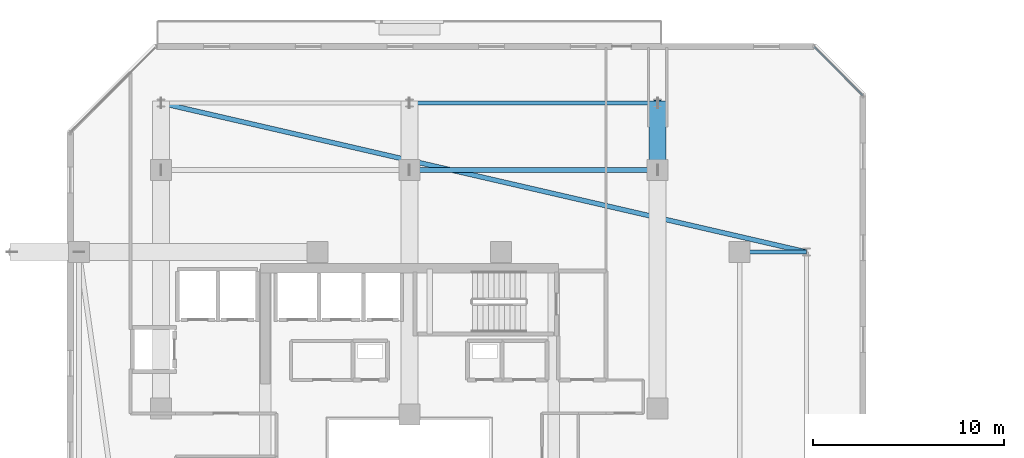
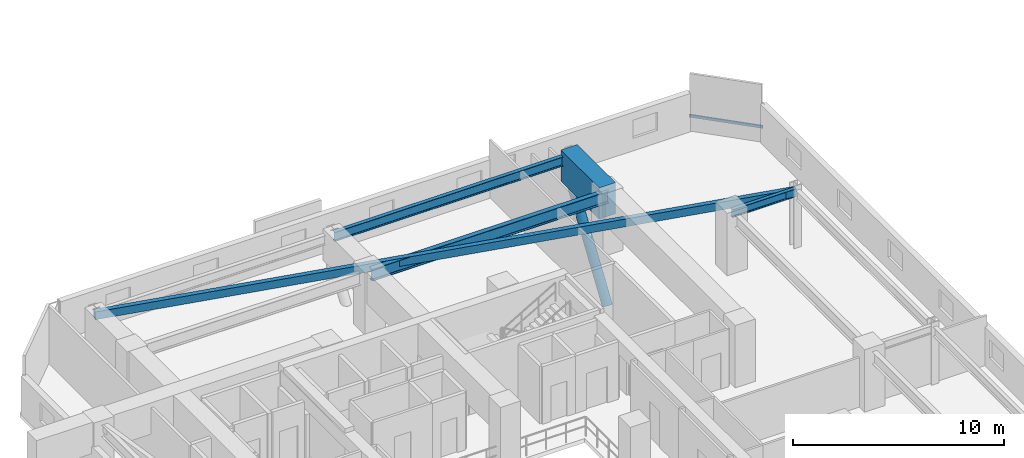
# One storey, part 9 of 36: 5 beams, 2 members, 1 element without a shape of its own.
"""IFC4 building model written with IfcOpenShell, lengths in metres."""

from ifc_helpers import new_model, si_unit, direction, frame, origin, origin_2d, place, context, subcontext, project, spatial, rectangle, hollow_rectangle, hollow_circle, i_section, extrude, material, material_profile, profile_set, type_object, element, aggregate, save


model = new_model("IFC4")

# Units and contexts
model_context = context("Model", 3, precision=1e-05, world=origin(), true_north=direction((0.0, 1.0)))
body_context = subcontext(model_context, "Body", "Model", "MODEL_VIEW")
ifc_project = project(units=[si_unit("LENGTHUNIT", "METRE"), si_unit("AREAUNIT", "SQUARE_METRE"), si_unit("VOLUMEUNIT", "CUBIC_METRE"), si_unit("PLANEANGLEUNIT", "RADIAN"), si_unit("MASSUNIT", "GRAM", prefix="KILO")], contexts=[model_context])

# Site, building, storey
site_placement = place(None, origin())
site = spatial("IfcSite", under=ifc_project, at=site_placement, CompositionType="ELEMENT")
building_placement = place(site_placement, origin())
building = spatial("IfcBuilding", under=site, at=building_placement, Name="Thornwick Lancets Civic Towers", CompositionType="ELEMENT")
storey_placement = place(building_placement, frame((0.0, 0.0, 196.5)))
storey = spatial("IfcBuildingStorey", under=building, at=storey_placement, Name="L52", CompositionType="ELEMENT", Elevation=196.5)

# Beams
ifc_material_1 = material(Name="Steel S355JR", Category="steel")
ifc_material_profile_1 = material_profile(ifc_material_1, i_section(OverallWidth=0.210693359375, OverallDepth=0.53955078125, WebThickness=0.01171875, FlangeThickness=0.018798828125, FilletRadius=0.0126953125, at=origin_2d()), Name="UKB 533x210x109")
ifc_profile_set_1 = profile_set([ifc_material_profile_1], Name="Steel S355JR")
beam_type_1 = type_object("IfcBeamType", Name="BM_EDGE_533_109", PredefinedType="SPANDREL", material=ifc_profile_set_1)
beam_1_placement = place(storey_placement, frame((25.580078125, 47.800048828125, 3.0703125), z_axis=(1.0, 0.0, 0.0), x_axis=(0.0, 1.0, 0.0)))
element("IfcBeam", 1, at=beam_1_placement, inside=storey, type_object=beam_type_1, Name="BM-EDGE-L52-A-S2-2", PredefinedType="SPANDREL", context=body_context, shape_type="SweptSolid", body=[
    extrude(i_section(OverallWidth=0.210693359375, OverallDepth=0.53955078125, WebThickness=0.01171875, FlangeThickness=0.018798828125, FilletRadius=0.0126953125, at=origin_2d()), origin(), (0.0, 0.0, 1.0), 12.919921875),
])
ifc_material_profile_2 = material_profile(ifc_material_1, i_section(OverallWidth=0.255859375, OverallDepth=0.69287109375, WebThickness=0.014404296875, FlangeThickness=0.023681640625, FilletRadius=0.01513671875, at=origin_2d()), Name="UKB 686x254x170")
ifc_profile_set_2 = profile_set([ifc_material_profile_2], Name="Steel S355JR")
beam_type_2 = type_object("IfcBeamType", Name="BM_GIRD_686_170", PredefinedType="BEAM", material=ifc_profile_set_2)
beam_2_placement = place(storey_placement, frame((25.580078125, 44.300048828125, 2.993408203125), z_axis=(1.0, 0.0, 0.0), x_axis=(0.0, 1.0, 0.0)))
element("IfcBeam", 2, at=beam_2_placement, inside=storey, type_object=beam_type_2, Name="BM-SPINE-L52-A-7-8", PredefinedType="BEAM", context=body_context, shape_type="SweptSolid", body=[
    extrude(i_section(OverallWidth=0.255859375, OverallDepth=0.69287109375, WebThickness=0.014404296875, FlangeThickness=0.023681640625, FilletRadius=0.01513671875, at=origin_2d()), origin(), (0.0, 0.0, 1.0), 12.919921875),
])
ifc_material_profile_3 = material_profile(ifc_material_1, i_section(OverallWidth=0.19189453125, OverallDepth=0.46337890625, WebThickness=0.010498046875, FlangeThickness=0.017578125, FilletRadius=0.01025390625, at=origin_2d()), Name="UKB 457x191x89")
ifc_profile_set_3 = profile_set([ifc_material_profile_3], Name="Steel S355JR")
beam_type_3 = type_object("IfcBeamType", Name="BM_JOIST_457_89", PredefinedType="JOIST", material=ifc_profile_set_3)
beam_3_placement = place(storey_placement, frame((42.800048828125, 40.0, 3.1083984375), z_axis=(1.0, 0.0, 0.0), x_axis=(0.0, 1.0, 0.0)))
element("IfcBeam", 3, at=beam_3_placement, inside=storey, type_object=beam_type_3, Name="BM-RAD-L52-A06", PredefinedType="JOIST", context=body_context, shape_type="SweptSolid", body=[
    extrude(i_section(OverallWidth=0.19189453125, OverallDepth=0.46337890625, WebThickness=0.010498046875, FlangeThickness=0.017578125, FilletRadius=0.01025390625, at=origin_2d()), origin(), (0.0, 0.0, 1.0), 3.5),
])
ifc_material_profile_4 = material_profile(ifc_material_1, hollow_rectangle(XDim=0.25, YDim=0.449951171875, WallThickness=0.01611328125, at=origin_2d()), Name="RHS 450x250x16")
ifc_profile_set_4 = profile_set([ifc_material_profile_4], Name="Steel S355JR")
beam_type_4 = type_object("IfcBeamType", Name="BM_RING_RHS450", PredefinedType="BEAM", material=ifc_profile_set_4)
beam_4_placement = place(storey_placement, frame((46.300048828125, 40.0, 3.114990234375), z_axis=(-0.974390958454, 0.224860534737, 0.0), x_axis=(-0.224860534737, -0.974390958454, 0.0)))
element("IfcBeam", 4, at=beam_4_placement, inside=storey, type_object=beam_type_4, Name="BM-CHAMF-L52-A-C1", PredefinedType="BEAM", context=body_context, shape_type="SweptSolid", body=[
    extrude(hollow_rectangle(XDim=0.25, YDim=0.449951171875, WallThickness=0.01611328125, at=origin_2d()), origin(), (0.0, 0.0, 1.0), 34.6884765625),
])
ifc_material_2 = material(Name="Concrete C60/75", Category="concrete")
ifc_material_profile_5 = material_profile(ifc_material_2, rectangle(XDim=0.89990234375, YDim=1.800048828125, at=origin_2d()), Name="RC 900x1800")
ifc_profile_set_5 = profile_set([ifc_material_profile_5], Name="Concrete C60/75")
beam_type_5 = type_object("IfcBeamType", Name="BM_TR_RC1800", PredefinedType="BEAM", material=ifc_profile_set_5)
beam_5_placement = place(storey_placement, frame((38.5, 44.300048828125, 2.699951171875), z_axis=(0.0, 1.0, 0.0), x_axis=(-1.0, 0.0, 0.0)))
element("IfcBeam", 5, at=beam_5_placement, inside=storey, type_object=beam_type_5, Name="TG-CANT-L53-A09", PredefinedType="BEAM", context=body_context, shape_type="SweptSolid", body=[
    extrude(rectangle(XDim=0.89990234375, YDim=1.800048828125, at=origin_2d()), origin(), (0.0, 0.0, 1.0), 3.619873046875),
])

# Curtain wall, member
ifc_material_3 = material(Name="Mid-zone chamfered-corner unitised glass curtain wall", Category="glass")
curtain_wall_type = type_object("IfcCurtainWallType", Name="CW_SYS_04", PredefinedType="NOTDEFINED", material=ifc_material_3)
curtain_wall_placement = place(storey_placement, origin())
curtain_wall = element("IfcCurtainWall", 6, at=curtain_wall_placement, inside=storey, type_object=curtain_wall_type, Name="L52 Curtain Wall CW-L52-A-E3", PredefinedType="NOTDEFINED")
ifc_material_4 = material(Name="Thermally broken bronze aluminium S355", Category="steel")
ifc_material_profile_6 = material_profile(ifc_material_4, hollow_rectangle(XDim=0.074951171875, YDim=0.14990234375, WallThickness=0.0048828125, at=origin_2d()), Name="RHS 150x75x5")
ifc_profile_set_6 = profile_set([ifc_material_profile_6], Name="Thermally broken bronze aluminium S355")
member_type_1 = type_object("IfcMemberType", Name="CW_TRN_150", PredefinedType="USERDEFINED", material=ifc_profile_set_6)
member_1_placement = place(storey_placement, frame((49.25048828125, 48.195556640625, 0.85009765625), z_axis=(-0.707106781187, 0.707106781187, 0.0), x_axis=(-0.707106781187, -0.707106781187, 0.0)))
member_1 = element("IfcMember", 7, at=member_1_placement, type_object=member_type_1, Name="CW-L52-A-E3 Transom 0", ObjectType="TRANSOM", PredefinedType="USERDEFINED", context=body_context, shape_type="SweptSolid", body=[
    extrude(hollow_rectangle(XDim=0.074951171875, YDim=0.14990234375, WallThickness=0.0048828125, at=origin_2d()), origin(), (0.0, 0.0, 1.0), 3.61328125),
])
aggregate(curtain_wall, [member_1])

# Member
ifc_material_5 = material(Name="Steel S460M", Category="steel")
ifc_material_profile_7 = material_profile(ifc_material_5, hollow_circle(Radius=0.25390625, WallThickness=0.02490234375, at=origin_2d()), Name="CHS 508x25")
ifc_profile_set_7 = profile_set([ifc_material_profile_7], Name="Steel S460M")
member_type_2 = type_object("IfcMemberType", Name="MEM_STRUT_CHS508", PredefinedType="STRUT", material=ifc_profile_set_7)
member_2_placement = place(storey_placement, frame((38.5, 44.300048828125, -3.35009765625), z_axis=(0.0, 0.556167580628, 0.831070166868), x_axis=(-1.0, 0.0, 0.0)))
element("IfcMember", 8, at=member_2_placement, inside=storey, type_object=member_type_2, Name="L53 Jenga Transfer Raking Strut A09", PredefinedType="STRUT", context=body_context, shape_type="SweptSolid", body=[
    extrude(hollow_circle(Radius=0.25390625, WallThickness=0.02490234375, at=origin_2d()), origin(), (0.0, 0.0, 1.0), 6.29296875),
])

save(model, "model.ifc")
